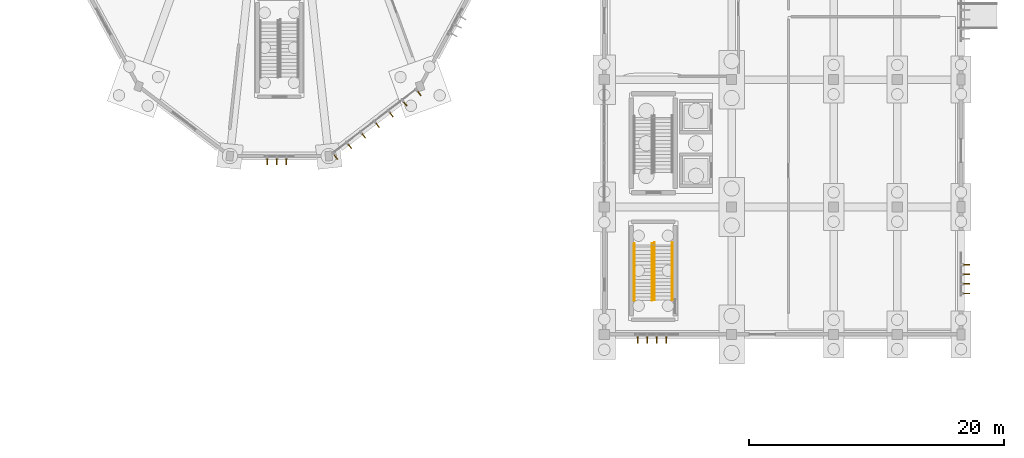
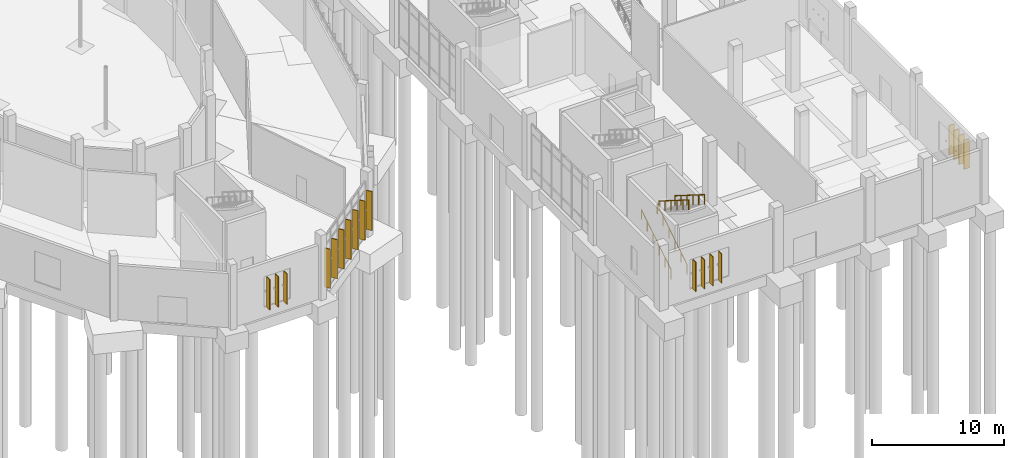
# One storey, part 125 of 140: 18 shading devices, 4 railings.
"""IFC4 building model written with IfcOpenShell, lengths in metres."""

from ifc_helpers import new_model, si_unit, direction, frame, origin, origin_2d, place, context, subcontext, project, spatial, rectangle, circle, extrude, material, layer, layer_set, type_object, element, save


model = new_model("IFC4")

# Units and contexts
model_context = context("Model", 3, precision=1e-05, world=origin(), true_north=direction((0.0, 1.0)))
body_context = subcontext(model_context, "Body", "Model", "MODEL_VIEW")
ifc_project = project(units=[si_unit("LENGTHUNIT", "METRE"), si_unit("AREAUNIT", "SQUARE_METRE"), si_unit("VOLUMEUNIT", "CUBIC_METRE"), si_unit("PLANEANGLEUNIT", "RADIAN"), si_unit("MASSUNIT", "GRAM", prefix="KILO")], contexts=[model_context])

# Site, building, storey
site_placement = place(None, origin())
site = spatial("IfcSite", under=ifc_project, at=site_placement, CompositionType="ELEMENT")
building_placement = place(site_placement, origin())
building = spatial("IfcBuilding", under=site, at=building_placement, Name="Corvandel Quay Wholesale Market", CompositionType="ELEMENT")
storey_placement = place(building_placement, origin())
storey = spatial("IfcBuildingStorey", under=building, at=storey_placement, Name="L00", CompositionType="ELEMENT", Elevation=0.0)

# Railings
ifc_material_1 = material(Name="Brushed austenitic stainless steel Grade 316", Category="steel")
ifc_layer = layer(ifc_material_1, 0.048095703125)
ifc_layer_set = layer_set([ifc_layer], Name="Brushed austenitic stainless steel Grade 316")
railing_type = type_object("IfcRailingType", Name="Tubular Stainless Stair Handrail HR01 915mm", PredefinedType="HANDRAIL", material=ifc_layer_set)
for number, where, name in (
    (1, (222.360107421875, 12.64990234375, 0.176513671875), "Stair Handrail 0190"),
    (2, (223.75, 12.64990234375, 0.176513671875), "Stair Handrail 0191"),
):
    element("IfcRailing", number, at=place(storey_placement, frame(where)), inside=storey, type_object=railing_type, Name=name, PredefinedType="HANDRAIL", context=body_context, shape_type="SweptSolid", body=[
        extrude(circle(Radius=0.02392578125, at=origin_2d()), frame((0.0, 0.0, 0.89111328125), z_axis=(0.0, 0.845997938375, 0.533186166611), x_axis=(-1.0, 0.0, 0.0)), (0.0, 0.0, 1.0), 5.29541015625),
        extrude(circle(Radius=0.02099609375, at=origin_2d()), origin(), (0.0, 0.0, 1.0), 0.866943359375),
        extrude(circle(Radius=0.02099609375, at=origin_2d()), frame((0.0, 0.89599609375, 0.564697265625)), (0.0, 0.0, 1.0), 0.866943359375),
        extrude(circle(Radius=0.02099609375, at=origin_2d()), frame((0.0, 1.7919921875, 1.12939453125)), (0.0, 0.0, 1.0), 0.866943359375),
        extrude(circle(Radius=0.02099609375, at=origin_2d()), frame((0.0, 2.68798828125, 1.694091796875)), (0.0, 0.0, 1.0), 0.866943359375),
        extrude(circle(Radius=0.02099609375, at=origin_2d()), frame((0.0, 3.583984375, 2.2587890625)), (0.0, 0.0, 1.0), 0.866943359375),
        extrude(circle(Radius=0.02099609375, at=origin_2d()), frame((0.0, 4.47998046875, 2.823486328125)), (0.0, 0.0, 1.0), 0.866943359375),
    ])
for number, where, name in (
    (3, (223.949951171875, 17.199951171875, 3.176513671875), "Stair Handrail 0192"),
    (4, (225.340087890625, 17.199951171875, 3.176513671875), "Stair Handrail 0193"),
):
    element("IfcRailing", number, at=place(storey_placement, frame(where)), inside=storey, type_object=railing_type, Name=name, PredefinedType="HANDRAIL", context=body_context, shape_type="SweptSolid", body=[
        extrude(circle(Radius=0.02392578125, at=origin_2d()), frame((0.0, 0.0, 0.89111328125), z_axis=(0.0, -0.845997938375, 0.533186166611), x_axis=(1.0, 0.0, 0.0)), (0.0, 0.0, 1.0), 5.29541015625),
        extrude(circle(Radius=0.02099609375, at=origin_2d()), origin(), (0.0, 0.0, 1.0), 0.866943359375),
        extrude(circle(Radius=0.02099609375, at=origin_2d()), frame((0.0, -0.89599609375, 0.564697265625)), (0.0, 0.0, 1.0), 0.866943359375),
        extrude(circle(Radius=0.02099609375, at=origin_2d()), frame((0.0, -1.7919921875, 1.12939453125)), (0.0, 0.0, 1.0), 0.866943359375),
        extrude(circle(Radius=0.02099609375, at=origin_2d()), frame((0.0, -2.68798828125, 1.694091796875)), (0.0, 0.0, 1.0), 0.866943359375),
        extrude(circle(Radius=0.02099609375, at=origin_2d()), frame((0.0, -3.583984375, 2.2587890625)), (0.0, 0.0, 1.0), 0.866943359375),
        extrude(circle(Radius=0.02099609375, at=origin_2d()), frame((0.0, -4.47998046875, 2.823486328125)), (0.0, 0.0, 1.0), 0.866943359375),
    ])

# Shading devices
ifc_material_2 = material(Name="Bronze anodised extruded aluminium 6063-T6", Category="aluminium")
shading_device_type = type_object("IfcShadingDeviceType", Name="Vertical Anodised Bronze Solar Fin FN01 480mm", PredefinedType="JALOUSIE", material=ifc_material_2)
for number, where, z_axis, x_axis, name in (
    (5, (193.550048828125, 23.56005859375, 0.9501953125), (0.0, 0.0, 1.0), (0.0, 1.0, 0.0), "Solar Fin 0468"),
    (6, (194.300048828125, 23.56005859375, 0.9501953125), (0.0, 0.0, 1.0), (0.0, 1.0, 0.0), "Solar Fin 0469"),
    (7, (195.050048828125, 23.56005859375, 0.9501953125), (0.0, 0.0, 1.0), (0.0, 1.0, 0.0), "Solar Fin 0470"),
):
    element("IfcShadingDevice", number, at=place(storey_placement, frame(where, z_axis=z_axis, x_axis=x_axis)), inside=storey, type_object=shading_device_type, Name=name, PredefinedType="JALOUSIE", context=body_context, shape_type="SweptSolid", body=[
        extrude(rectangle(XDim=0.47998046875, YDim=0.06494140625, at=origin_2d()), origin(), (0.0, 0.0, 1.0), 2.800048828125),
    ])
for number, where, z_axis, x_axis, name in (
    (8, (198.927490234375, 23.941162109375, 0.77490234375), (0.0, 0.0, 1.0), (-0.607514481979, 0.794308601354, 0.0), "Solar Fin 0479"),
    (9, (200.01611328125, 24.773681640625, 0.77490234375), (0.0, 0.0, 1.0), (-0.607514481979, 0.794308601354, 0.0), "Solar Fin 0480"),
    (10, (201.104736328125, 25.606201171875, 0.77490234375), (0.0, 0.0, 1.0), (-0.607514481979, 0.794308601354, 0.0), "Solar Fin 0481"),
    (11, (202.193359375, 26.438720703125, 0.77490234375), (0.0, 0.0, 1.0), (-0.607514481979, 0.794308601354, 0.0), "Solar Fin 0482"),
    (12, (203.281982421875, 27.271240234375, 0.77490234375), (0.0, 0.0, 1.0), (-0.607514481979, 0.794308601354, 0.0), "Solar Fin 0483"),
    (13, (204.37060546875, 28.103759765625, 0.77490234375), (0.0, 0.0, 1.0), (-0.607514481979, 0.794308601354, 0.0), "Solar Fin 0484"),
    (14, (205.458984375, 28.936279296875, 0.77490234375), (0.0, 0.0, 1.0), (-0.607514481979, 0.794308601354, 0.0), "Solar Fin 0485"),
):
    element("IfcShadingDevice", number, at=place(storey_placement, frame(where, z_axis=z_axis, x_axis=x_axis)), inside=storey, type_object=shading_device_type, Name=name, PredefinedType="JALOUSIE", context=body_context, shape_type="SweptSolid", body=[
        extrude(rectangle(XDim=0.47998046875, YDim=0.06494140625, at=origin_2d()), origin(), (0.0, 0.0, 1.0), 3.60009765625),
    ])
for number, where, z_axis, x_axis, name in (
    (15, (248.43994140625, 13.219970703125, 0.89990234375), (0.0, 0.0, 1.0), (1.0, 0.0, 0.0), "Solar Fin 0595"),
    (16, (248.43994140625, 13.969970703125, 0.89990234375), (0.0, 0.0, 1.0), (1.0, 0.0, 0.0), "Solar Fin 0596"),
    (17, (248.43994140625, 14.719970703125, 0.89990234375), (0.0, 0.0, 1.0), (1.0, 0.0, 0.0), "Solar Fin 0597"),
    (18, (248.43994140625, 15.469970703125, 0.89990234375), (0.0, 0.0, 1.0), (1.0, 0.0, 0.0), "Solar Fin 0598"),
    (19, (222.6201171875, 9.56005859375, 0.9501953125), (0.0, 0.0, 1.0), (0.0, 1.0, 0.0), "Solar Fin 0632"),
    (20, (223.3701171875, 9.56005859375, 0.9501953125), (0.0, 0.0, 1.0), (0.0, 1.0, 0.0), "Solar Fin 0633"),
    (21, (224.1201171875, 9.56005859375, 0.9501953125), (0.0, 0.0, 1.0), (0.0, 1.0, 0.0), "Solar Fin 0634"),
    (22, (224.8701171875, 9.56005859375, 0.9501953125), (0.0, 0.0, 1.0), (0.0, 1.0, 0.0), "Solar Fin 0635"),
):
    element("IfcShadingDevice", number, at=place(storey_placement, frame(where, z_axis=z_axis, x_axis=x_axis)), inside=storey, type_object=shading_device_type, Name=name, PredefinedType="JALOUSIE", context=body_context, shape_type="SweptSolid", body=[
        extrude(rectangle(XDim=0.47998046875, YDim=0.06494140625, at=origin_2d()), origin(), (0.0, 0.0, 1.0), 2.699951171875),
    ])

save(model, "model.ifc")
